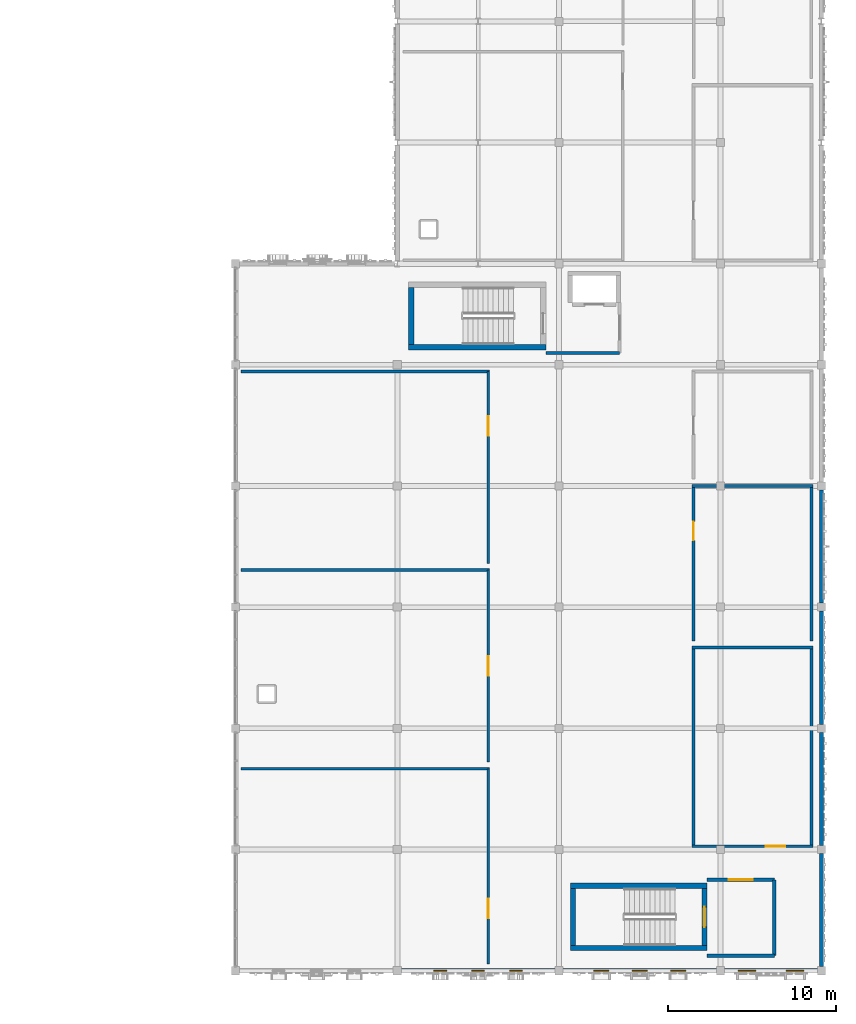
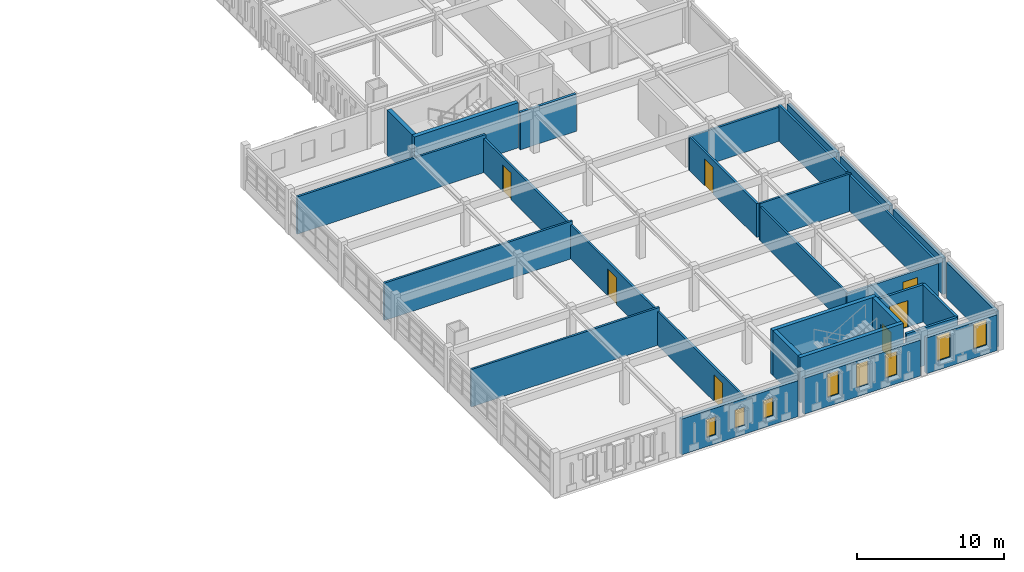
# One storey, part 30 of 53: 30 walls, 8 windows, 7 doors, 15 openings.
"""IFC4 building model written with IfcOpenShell, lengths in metres."""

from ifc_helpers import new_model, si_unit, direction, frame, frame_2d, origin, place, context, subcontext, project, spatial, rectangle, extrude, material, layer, layer_set, type_object, element, fill, save


model = new_model("IFC4")

# Units and contexts
model_context = context("Model", 3, precision=1e-05, world=origin(), true_north=direction((0.0, 1.0)))
body_context = subcontext(model_context, "Body", "Model", "MODEL_VIEW")
ifc_project = project(units=[si_unit("LENGTHUNIT", "METRE"), si_unit("AREAUNIT", "SQUARE_METRE"), si_unit("VOLUMEUNIT", "CUBIC_METRE"), si_unit("PLANEANGLEUNIT", "RADIAN"), si_unit("MASSUNIT", "GRAM", prefix="KILO")], contexts=[model_context])

# Site, building, storey
site_placement = place(None, origin())
site = spatial("IfcSite", under=ifc_project, at=site_placement, CompositionType="ELEMENT")
building_placement = place(site_placement, origin())
building = spatial("IfcBuilding", under=site, at=building_placement, Name="Nzembalo Square Collegiate School", CompositionType="ELEMENT")
storey_placement = place(building_placement, frame((0.0, 0.0, 13.60009765625)))
storey = spatial("IfcBuildingStorey", under=building, at=storey_placement, Name="L03", CompositionType="ELEMENT", Elevation=13.60009765625)

# Walls
ifc_material_1 = material(Name="Concrete C40/50", Category="concrete")
ifc_layer_1 = layer(ifc_material_1, 0.320068359375, Name="Concrete C40/50")
ifc_layer_set_1 = layer_set([ifc_layer_1], Name="Concrete C40/50")
wall_type_1 = type_object("IfcWallType", Name="SW01", PredefinedType="SHEAR", material=ifc_layer_set_1)
wall_1_placement = place(storey_placement, frame((141.239990234375, 45.60009765625, 0.0), z_axis=(0.0, 0.0, 1.0), x_axis=(0.0, 1.0, 0.0)))
element("IfcWall", 1, at=wall_1_placement, inside=storey, type_object=wall_type_1, Name="Core C5 stair shear wall W L03", PredefinedType="SHEAR", context=body_context, shape_type="SweptSolid", body=[
    extrude(rectangle(XDim=3.39990234375, YDim=0.320068359375, at=frame_2d((1.699951171875, 0.0))), origin(), (0.0, 0.0, 1.0), 3.739990234375),
])
wall_2_placement = place(storey_placement, frame((141.080078125, 45.43994140625, 0.0), z_axis=(0.0, 0.0, 1.0), x_axis=(1.0, 0.0, 0.0)))
element("IfcWall", 2, at=wall_2_placement, inside=storey, type_object=wall_type_1, Name="Core C5 stair shear wall S L03", PredefinedType="SHEAR", context=body_context, shape_type="SweptSolid", body=[
    extrude(rectangle(XDim=8.139892578125, YDim=0.320068359375, at=frame_2d((4.06982421875, 0.0))), origin(), (0.0, 0.0, 1.0), 3.739990234375),
])
ifc_material_2 = material(Name="Concrete C40/50", Category="concrete")
ifc_layer_2 = layer(ifc_material_2, 0.300048828125, Name="Concrete C40/50")
ifc_layer_set_2 = layer_set([ifc_layer_2], Name="Concrete C40/50")
wall_type_2 = type_object("IfcWallType", Name="SW02", PredefinedType="SHEAR", material=ifc_layer_set_2)
wall_3_placement = place(storey_placement, frame((150.85009765625, 9.89990234375, 0.0), z_axis=(0.0, 0.0, 1.0), x_axis=(0.0, 1.0, 0.0)))
element("IfcWall", 3, at=wall_3_placement, inside=storey, type_object=wall_type_2, Name="Core C6 stair shear wall W L03", PredefinedType="SHEAR", context=body_context, shape_type="SweptSolid", body=[
    extrude(rectangle(XDim=3.400146484375, YDim=0.300048828125, at=frame_2d((1.7001953125, 0.0))), origin(), (0.0, 0.0, 1.0), 3.739990234375),
])
for number, where, z_axis, x_axis, name in (
    (4, (150.699951171875, 9.75, 0.0), (0.0, 0.0, 1.0), (1.0, 0.0, 0.0), "Core C6 stair shear wall S L03"),
    (5, (150.699951171875, 13.449951171875, 0.0), (0.0, 0.0, 1.0), (1.0, 0.0, 0.0), "Core C6 stair shear wall N L03"),
):
    element("IfcWall", number, at=place(storey_placement, frame(where, z_axis=z_axis, x_axis=x_axis)), inside=storey, type_object=wall_type_2, Name=name, PredefinedType="SHEAR", context=body_context, shape_type="SweptSolid", body=[
        extrude(rectangle(XDim=8.10009765625, YDim=0.300048828125, at=frame_2d((4.050048828125, 0.0))), origin(), (0.0, 0.0, 1.0), 3.739990234375),
    ])

# Wall, opening, door
wall_4_placement = place(storey_placement, frame((158.64990234375, 9.89990234375, 0.0), z_axis=(0.0, 0.0, 1.0), x_axis=(0.0, 1.0, 0.0)))
wall_4 = element("IfcWall", 6, at=wall_4_placement, inside=storey, type_object=wall_type_2, Name="Core C6 stair shear wall E L03", PredefinedType="SHEAR", context=body_context, shape_type="SweptSolid", body=[
    extrude(rectangle(XDim=3.400146484375, YDim=0.300048828125, at=frame_2d((1.7001953125, 0.0))), origin(), (0.0, 0.0, 1.0), 3.739990234375),
])
opening_1_placement = place(wall_4_placement, frame((1.10009765625, 0.0, 0.0)))
opening_1 = element("IfcOpeningElement", 7, at=opening_1_placement, cuts=wall_4, Name="Opening FD-064", PredefinedType="OPENING", context=body_context, shape_type="SweptSolid", body=[
    extrude(rectangle(XDim=1.199951171875, YDim=2.199951171875, at=frame_2d((0.60009765625, 1.10009765625))), frame((0.0, 0.16015625, 0.0), z_axis=(0.0, -1.0, 0.0), x_axis=(1.0, 0.0, 0.0)), (0.0, 0.0, 1.0), 0.320068359375),
])
ifc_material_3 = material(Name="Fire-rated steel acoustic door", Category="steel")
door_type_1 = type_object("IfcDoorType", Name="FD01", OperationType="NOTDEFINED", PredefinedType="DOOR", material=ifc_material_3)
door_1_placement = place(opening_1_placement, origin())
door_1 = element("IfcDoor", 8, at=door_1_placement, inside=storey, type_object=door_type_1, Name="Stair fire door FD-064", OperationType="SINGLE_SWING_RIGHT", OverallHeight=2.199951171875, OverallWidth=1.199951171875, PredefinedType="DOOR", context=body_context, shape_type="SweptSolid", body=[
    extrude(rectangle(XDim=1.199951171875, YDim=2.199951171875, at=frame_2d((0.60009765625, 1.10009765625))), frame((0.0, 0.02490234375, 0.0), z_axis=(0.0, -1.0, 0.0), x_axis=(1.0, 0.0, 0.0)), (0.0, 0.0, 1.0), 0.050048828125),
])
fill(opening_1, door_1)

# Walls
ifc_material_4 = material(Name="Concrete C30/37", Category="concrete")
ifc_layer_3 = layer(ifc_material_4, 0.264892578125, Name="Concrete C30/37")
ifc_layer_set_3 = layer_set([ifc_layer_3], Name="Concrete C30/37")
wall_type_3 = type_object("IfcWallType", Name="W06", PredefinedType="SOLIDWALL", material=ifc_layer_set_3)
for number, where, z_axis, x_axis, name in (
    (9, (165.60009765625, 15.842041015625, 0.0), (0.0, 0.0, 1.0), (0.0, 1.0, 0.0), "Exterior wall W06 L03"),
    (10, (165.60009765625, 30.241943359375, 0.0), (0.0, 0.0, 1.0), (0.0, 1.0, 0.0), "Exterior wall W06 L03"),
):
    element("IfcWall", number, at=place(storey_placement, frame(where, z_axis=z_axis, x_axis=x_axis)), inside=storey, type_object=wall_type_3, Name=name, PredefinedType="SOLIDWALL", context=body_context, shape_type="SweptSolid", body=[
        extrude(rectangle(XDim=6.716064453125, YDim=0.264892578125, at=frame_2d((3.35791015625, 0.0))), origin(), (0.0, 0.0, 1.0), 2.9990234375),
    ])

# Wall, openings, windows
wall_5_placement = place(storey_placement, frame((140.64208984375, 8.39990234375, 0.0), z_axis=(0.0, 0.0, 1.0), x_axis=(1.0, 0.0, 0.0)))
wall_5 = element("IfcWall", 11, at=wall_5_placement, inside=storey, type_object=wall_type_3, Name="Exterior wall W06 L03", PredefinedType="SOLIDWALL", context=body_context, shape_type="SweptSolid", body=[
    extrude(rectangle(XDim=9.115966796875, YDim=0.264892578125, at=frame_2d((4.55810546875, 0.0))), origin(), (0.0, 0.0, 1.0), 2.968994140625),
])
opening_2_placement = place(wall_5_placement, frame((1.9365234375, 0.0, 0.75)))
opening_2 = element("IfcOpeningElement", 12, at=opening_2_placement, cuts=wall_5, Name="Opening WN-L03-670", PredefinedType="OPENING", context=body_context, shape_type="SweptSolid", body=[
    extrude(rectangle(XDim=0.75, YDim=1.5, at=frame_2d((0.375, 0.75))), frame((0.0, 0.142578125, 0.0), z_axis=(0.0, -1.0, 0.0), x_axis=(1.0, 0.0, 0.0)), (0.0, 0.0, 1.0), 0.284912109375),
])
opening_3_placement = place(wall_5_placement, frame((4.18310546875, 0.0, 0.75)))
opening_3 = element("IfcOpeningElement", 13, at=opening_3_placement, cuts=wall_5, Name="Opening WN-L03-671", PredefinedType="OPENING", context=body_context, shape_type="SweptSolid", body=[
    extrude(rectangle(XDim=0.75, YDim=1.5, at=frame_2d((0.375, 0.75))), frame((0.0, 0.142578125, 0.0), z_axis=(0.0, -1.0, 0.0), x_axis=(1.0, 0.0, 0.0)), (0.0, 0.0, 1.0), 0.284912109375),
])
opening_4_placement = place(wall_5_placement, frame((6.429443359375, 0.0, 0.75)))
opening_4 = element("IfcOpeningElement", 14, at=opening_4_placement, cuts=wall_5, Name="Opening WN-L03-672", PredefinedType="OPENING", context=body_context, shape_type="SweptSolid", body=[
    extrude(rectangle(XDim=0.75, YDim=1.5, at=frame_2d((0.375, 0.75))), frame((0.0, 0.142578125, 0.0), z_axis=(0.0, -1.0, 0.0), x_axis=(1.0, 0.0, 0.0)), (0.0, 0.0, 1.0), 0.284912109375),
])
ifc_material_5 = material(Name="Powder-coated aluminium and low-E double glazing", Category="aluminium")
window_type_1 = type_object("IfcWindowType", Name="WN05", PartitioningType="SINGLE_PANEL", PredefinedType="WINDOW", material=ifc_material_5)
window_1_placement = place(opening_2_placement, origin())
window_1 = element("IfcWindow", 15, at=window_1_placement, inside=storey, type_object=window_type_1, Name="Lancet window WN-L03-670", OverallHeight=1.5, OverallWidth=0.75, PartitioningType="SINGLE_PANEL", PredefinedType="WINDOW", context=body_context, shape_type="SweptSolid", body=[
    extrude(rectangle(XDim=0.75, YDim=1.5, at=frame_2d((0.375, 0.75))), frame((0.0, 0.030029296875, 0.0), z_axis=(0.0, -1.0, 0.0), x_axis=(1.0, 0.0, 0.0)), (0.0, 0.0, 1.0), 0.06005859375),
])
fill(opening_2, window_1)
window_2_placement = place(opening_3_placement, origin())
window_2 = element("IfcWindow", 16, at=window_2_placement, inside=storey, type_object=window_type_1, Name="Lancet window WN-L03-671", OverallHeight=1.5, OverallWidth=0.75, PartitioningType="SINGLE_PANEL", PredefinedType="WINDOW", context=body_context, shape_type="SweptSolid", body=[
    extrude(rectangle(XDim=0.75, YDim=1.5, at=frame_2d((0.375, 0.75))), frame((0.0, 0.030029296875, 0.0), z_axis=(0.0, -1.0, 0.0), x_axis=(1.0, 0.0, 0.0)), (0.0, 0.0, 1.0), 0.06005859375),
])
fill(opening_3, window_2)
window_3_placement = place(opening_4_placement, origin())
window_3 = element("IfcWindow", 17, at=window_3_placement, inside=storey, type_object=window_type_1, Name="Lancet window WN-L03-672", OverallHeight=1.5, OverallWidth=0.75, PartitioningType="SINGLE_PANEL", PredefinedType="WINDOW", context=body_context, shape_type="SweptSolid", body=[
    extrude(rectangle(XDim=0.75, YDim=1.5, at=frame_2d((0.375, 0.75))), frame((0.0, 0.030029296875, 0.0), z_axis=(0.0, -1.0, 0.0), x_axis=(1.0, 0.0, 0.0)), (0.0, 0.0, 1.0), 0.06005859375),
])
fill(opening_4, window_3)

wall_6_placement = place(storey_placement, frame((159.842041015625, 8.39990234375, 0.0), z_axis=(0.0, 0.0, 1.0), x_axis=(1.0, 0.0, 0.0)))
wall_6 = element("IfcWall", 18, at=wall_6_placement, inside=storey, type_object=wall_type_3, Name="Exterior wall W06 L03", PredefinedType="SOLIDWALL", context=body_context, shape_type="SweptSolid", body=[
    extrude(rectangle(XDim=5.515869140625, YDim=0.264892578125, at=frame_2d((2.7578125, 0.0))), origin(), (0.0, 0.0, 1.0), 2.968994140625),
])
opening_5_placement = place(wall_6_placement, frame((0.8115234375, 0.0, 0.75)))
opening_5 = element("IfcOpeningElement", 19, at=opening_5_placement, cuts=wall_6, Name="Opening WN-L03-677", PredefinedType="OPENING", context=body_context, shape_type="SweptSolid", body=[
    extrude(rectangle(XDim=1.050048828125, YDim=2.10009765625, at=frame_2d((0.52490234375, 1.050048828125))), frame((0.0, 0.142578125, 0.0), z_axis=(0.0, -1.0, 0.0), x_axis=(1.0, 0.0, 0.0)), (0.0, 0.0, 1.0), 0.284912109375),
])
opening_6_placement = place(wall_6_placement, frame((3.654541015625, 0.0, 0.75)))
opening_6 = element("IfcOpeningElement", 20, at=opening_6_placement, cuts=wall_6, Name="Opening WN-L03-678", PredefinedType="OPENING", context=body_context, shape_type="SweptSolid", body=[
    extrude(rectangle(XDim=1.050048828125, YDim=2.10009765625, at=frame_2d((0.52490234375, 1.050048828125))), frame((0.0, 0.142578125, 0.0), z_axis=(0.0, -1.0, 0.0), x_axis=(1.0, 0.0, 0.0)), (0.0, 0.0, 1.0), 0.284912109375),
])
ifc_material_6 = material(Name="Powder-coated aluminium and low-E double glazing", Category="aluminium")
window_type_2 = type_object("IfcWindowType", Name="WN12", PartitioningType="SINGLE_PANEL", PredefinedType="WINDOW", material=ifc_material_6)
window_4_placement = place(opening_5_placement, origin())
window_4 = element("IfcWindow", 21, at=window_4_placement, inside=storey, type_object=window_type_2, Name="Lancet window WN-L03-677", OverallHeight=2.10009765625, OverallWidth=1.050048828125, PartitioningType="SINGLE_PANEL", PredefinedType="WINDOW", context=body_context, shape_type="SweptSolid", body=[
    extrude(rectangle(XDim=1.050048828125, YDim=2.10009765625, at=frame_2d((0.52490234375, 1.050048828125))), frame((0.0, 0.030029296875, 0.0), z_axis=(0.0, -1.0, 0.0), x_axis=(1.0, 0.0, 0.0)), (0.0, 0.0, 1.0), 0.06005859375),
])
fill(opening_5, window_4)
window_5_placement = place(opening_6_placement, origin())
window_5 = element("IfcWindow", 22, at=window_5_placement, inside=storey, type_object=window_type_2, Name="Lancet window WN-L03-678", OverallHeight=2.10009765625, OverallWidth=1.050048828125, PartitioningType="SINGLE_PANEL", PredefinedType="WINDOW", context=body_context, shape_type="SweptSolid", body=[
    extrude(rectangle(XDim=1.050048828125, YDim=2.10009765625, at=frame_2d((0.52490234375, 1.050048828125))), frame((0.0, 0.030029296875, 0.0), z_axis=(0.0, -1.0, 0.0), x_axis=(1.0, 0.0, 0.0)), (0.0, 0.0, 1.0), 0.06005859375),
])
fill(opening_6, window_5)

# Walls
ifc_material_7 = material(Name="CLT CL24", Category="wood")
ifc_layer_4 = layer(ifc_material_7, 0.2451171875, Name="CLT CL24")
ifc_layer_set_4 = layer_set([ifc_layer_4], Name="CLT CL24")
wall_type_4 = type_object("IfcWallType", Name="W07", PredefinedType="SOLIDWALL", material=ifc_layer_set_4)
wall_7_placement = place(storey_placement, frame((165.60009765625, 8.64208984375, 0.0), z_axis=(0.0, 0.0, 1.0), x_axis=(0.0, 1.0, 0.0)))
element("IfcWall", 23, at=wall_7_placement, inside=storey, type_object=wall_type_4, Name="Exterior wall W07 L03", PredefinedType="SOLIDWALL", context=body_context, shape_type="SweptSolid", body=[
    extrude(rectangle(XDim=6.7158203125, YDim=0.2451171875, at=frame_2d((3.35791015625, 0.0))), origin(), (0.0, 0.0, 1.0), 2.968994140625),
])
wall_8_placement = place(storey_placement, frame((165.60009765625, 23.0419921875, 0.0), z_axis=(0.0, 0.0, 1.0), x_axis=(0.0, 1.0, 0.0)))
element("IfcWall", 24, at=wall_8_placement, inside=storey, type_object=wall_type_4, Name="Exterior wall W07 L03", PredefinedType="SOLIDWALL", context=body_context, shape_type="SweptSolid", body=[
    extrude(rectangle(XDim=6.716064453125, YDim=0.2451171875, at=frame_2d((3.35791015625, 0.0))), origin(), (0.0, 0.0, 1.0), 2.9990234375),
])

# Wall, openings, windows
wall_9_placement = place(storey_placement, frame((150.241943359375, 8.39990234375, 0.0), z_axis=(0.0, 0.0, 1.0), x_axis=(1.0, 0.0, 0.0)))
wall_9 = element("IfcWall", 25, at=wall_9_placement, inside=storey, type_object=wall_type_4, Name="Exterior wall W07 L03", PredefinedType="SOLIDWALL", context=body_context, shape_type="SweptSolid", body=[
    extrude(rectangle(XDim=9.115966796875, YDim=0.2451171875, at=frame_2d((4.55810546875, 0.0))), origin(), (0.0, 0.0, 1.0), 2.968994140625),
])
opening_7_placement = place(wall_9_placement, frame((1.823974609375, 0.0, 0.75)))
opening_7 = element("IfcOpeningElement", 26, at=opening_7_placement, cuts=wall_9, Name="Opening WN-L03-673", PredefinedType="OPENING", context=body_context, shape_type="SweptSolid", body=[
    extrude(rectangle(XDim=0.89990234375, YDim=1.949951171875, at=frame_2d((0.449951171875, 0.97509765625))), frame((0.0, 0.132568359375, 0.0), z_axis=(0.0, -1.0, 0.0), x_axis=(1.0, 0.0, 0.0)), (0.0, 0.0, 1.0), 0.26513671875),
])
opening_8_placement = place(wall_9_placement, frame((4.10791015625, 0.0, 0.75)))
opening_8 = element("IfcOpeningElement", 27, at=opening_8_placement, cuts=wall_9, Name="Opening WN-L03-674", PredefinedType="OPENING", context=body_context, shape_type="SweptSolid", body=[
    extrude(rectangle(XDim=0.89990234375, YDim=1.949951171875, at=frame_2d((0.449951171875, 0.97509765625))), frame((0.0, 0.132568359375, 0.0), z_axis=(0.0, -1.0, 0.0), x_axis=(1.0, 0.0, 0.0)), (0.0, 0.0, 1.0), 0.26513671875),
])
opening_9_placement = place(wall_9_placement, frame((6.39208984375, 0.0, 0.75)))
opening_9 = element("IfcOpeningElement", 28, at=opening_9_placement, cuts=wall_9, Name="Opening WN-L03-675", PredefinedType="OPENING", context=body_context, shape_type="SweptSolid", body=[
    extrude(rectangle(XDim=0.89990234375, YDim=1.949951171875, at=frame_2d((0.449951171875, 0.97509765625))), frame((0.0, 0.132568359375, 0.0), z_axis=(0.0, -1.0, 0.0), x_axis=(1.0, 0.0, 0.0)), (0.0, 0.0, 1.0), 0.26513671875),
])
ifc_material_8 = material(Name="Powder-coated aluminium and low-E double glazing", Category="aluminium")
window_type_3 = type_object("IfcWindowType", Name="WN08", PartitioningType="SINGLE_PANEL", PredefinedType="WINDOW", material=ifc_material_8)
window_6_placement = place(opening_7_placement, origin())
window_6 = element("IfcWindow", 29, at=window_6_placement, inside=storey, type_object=window_type_3, Name="Lancet window WN-L03-673", OverallHeight=1.949951171875, OverallWidth=0.89990234375, PartitioningType="SINGLE_PANEL", PredefinedType="WINDOW", context=body_context, shape_type="SweptSolid", body=[
    extrude(rectangle(XDim=0.89990234375, YDim=1.949951171875, at=frame_2d((0.449951171875, 0.97509765625))), frame((0.0, 0.030029296875, 0.0), z_axis=(0.0, -1.0, 0.0), x_axis=(1.0, 0.0, 0.0)), (0.0, 0.0, 1.0), 0.06005859375),
])
fill(opening_7, window_6)
window_7_placement = place(opening_8_placement, origin())
window_7 = element("IfcWindow", 30, at=window_7_placement, inside=storey, type_object=window_type_3, Name="Lancet window WN-L03-674", OverallHeight=1.949951171875, OverallWidth=0.89990234375, PartitioningType="SINGLE_PANEL", PredefinedType="WINDOW", context=body_context, shape_type="SweptSolid", body=[
    extrude(rectangle(XDim=0.89990234375, YDim=1.949951171875, at=frame_2d((0.449951171875, 0.97509765625))), frame((0.0, 0.030029296875, 0.0), z_axis=(0.0, -1.0, 0.0), x_axis=(1.0, 0.0, 0.0)), (0.0, 0.0, 1.0), 0.06005859375),
])
fill(opening_8, window_7)
window_8_placement = place(opening_9_placement, origin())
window_8 = element("IfcWindow", 31, at=window_8_placement, inside=storey, type_object=window_type_3, Name="Lancet window WN-L03-675", OverallHeight=1.949951171875, OverallWidth=0.89990234375, PartitioningType="SINGLE_PANEL", PredefinedType="WINDOW", context=body_context, shape_type="SweptSolid", body=[
    extrude(rectangle(XDim=0.89990234375, YDim=1.949951171875, at=frame_2d((0.449951171875, 0.97509765625))), frame((0.0, 0.030029296875, 0.0), z_axis=(0.0, -1.0, 0.0), x_axis=(1.0, 0.0, 0.0)), (0.0, 0.0, 1.0), 0.06005859375),
])
fill(opening_9, window_8)

# Walls
ifc_material_9 = material(Name="Concrete blockwork C25/30", Category="masonry")
ifc_layer_5 = layer(ifc_material_9, 0.199951171875, Name="Concrete blockwork C25/30")
ifc_layer_set_5 = layer_set([ifc_layer_5], Name="Concrete blockwork C25/30")
wall_type_5 = type_object("IfcWallType", Name="W11", PredefinedType="PARTITIONING", material=ifc_layer_set_5)
wall_10_placement = place(storey_placement, frame((149.219970703125, 45.10009765625, 0.0), z_axis=(0.0, 0.0, 1.0), x_axis=(1.0, 0.0, 0.0)))
element("IfcWall", 32, at=wall_10_placement, inside=storey, type_object=wall_type_5, Name="Core C5 EI 60 lobby wall S L03", PredefinedType="PARTITIONING", context=body_context, shape_type="SweptSolid", body=[
    extrude(rectangle(XDim=4.380126953125, YDim=0.199951171875, at=frame_2d((2.18994140625, 0.0))), origin(), (0.0, 0.0, 1.0), 3.098876953125),
])
wall_11_placement = place(storey_placement, frame((162.800048828125, 9.300048828125, 0.0), z_axis=(0.0, 0.0, 1.0), x_axis=(0.0, 1.0, 0.0)))
element("IfcWall", 33, at=wall_11_placement, inside=storey, type_object=wall_type_5, Name="Core C6 EI 60 lobby wall E L03", PredefinedType="PARTITIONING", context=body_context, shape_type="SweptSolid", body=[
    extrude(rectangle(XDim=4.5, YDim=0.199951171875, at=frame_2d((2.25, 0.0))), origin(), (0.0, 0.0, 1.0), 3.098876953125),
])
wall_12_placement = place(storey_placement, frame((158.800048828125, 9.300048828125, 0.0), z_axis=(0.0, 0.0, 1.0), x_axis=(1.0, 0.0, 0.0)))
element("IfcWall", 34, at=wall_12_placement, inside=storey, type_object=wall_type_5, Name="Core C6 EI 60 lobby wall S L03", PredefinedType="PARTITIONING", context=body_context, shape_type="SweptSolid", body=[
    extrude(rectangle(XDim=4.0, YDim=0.199951171875, at=frame_2d((2.0, 0.0))), origin(), (0.0, 0.0, 1.0), 3.098876953125),
])

# Wall, opening, door
wall_13_placement = place(storey_placement, frame((158.800048828125, 13.800048828125, 0.0), z_axis=(0.0, 0.0, 1.0), x_axis=(1.0, 0.0, 0.0)))
wall_13 = element("IfcWall", 35, at=wall_13_placement, inside=storey, type_object=wall_type_5, Name="Core C6 EI 60 lobby wall N L03", PredefinedType="PARTITIONING", context=body_context, shape_type="SweptSolid", body=[
    extrude(rectangle(XDim=4.0, YDim=0.199951171875, at=frame_2d((2.0, 0.0))), origin(), (0.0, 0.0, 1.0), 3.098876953125),
])
opening_10_placement = place(wall_13_placement, frame((1.27490234375, 0.0, 0.0)))
opening_10 = element("IfcOpeningElement", 36, at=opening_10_placement, cuts=wall_13, Name="Opening FD-065", PredefinedType="OPENING", context=body_context, shape_type="SweptSolid", body=[
    extrude(rectangle(XDim=1.449951171875, YDim=2.199951171875, at=frame_2d((0.72509765625, 1.10009765625))), frame((0.0, 0.10986328125, 0.0), z_axis=(0.0, -1.0, 0.0), x_axis=(1.0, 0.0, 0.0)), (0.0, 0.0, 1.0), 0.219970703125),
])
ifc_material_10 = material(Name="Fire-rated double lobby door")
door_type_2 = type_object("IfcDoorType", Name="FD02", OperationType="DOUBLE_DOOR_SINGLE_SWING", PredefinedType="DOOR", material=ifc_material_10)
door_2_placement = place(opening_10_placement, origin())
door_2 = element("IfcDoor", 37, at=door_2_placement, inside=storey, type_object=door_type_2, Name="Protected lobby fire door FD-065", OperationType="DOUBLE_DOOR_SINGLE_SWING", OverallHeight=2.199951171875, OverallWidth=1.449951171875, PredefinedType="DOOR", context=body_context, shape_type="SweptSolid", body=[
    extrude(rectangle(XDim=1.449951171875, YDim=2.199951171875, at=frame_2d((0.72509765625, 1.10009765625))), frame((0.0, 0.02490234375, 0.0), z_axis=(0.0, -1.0, 0.0), x_axis=(1.0, 0.0, 0.0)), (0.0, 0.0, 1.0), 0.050048828125),
])
fill(opening_10, door_2)

# Wall
ifc_material_11 = material(Name="Moisture-resistant acoustic stud")
ifc_layer_6 = layer(ifc_material_11, 0.1650390625, Name="Moisture-resistant acoustic stud")
ifc_layer_set_6 = layer_set([ifc_layer_6], Name="Moisture-resistant acoustic stud")
wall_type_6 = type_object("IfcWallType", Name="W15", PredefinedType="PARTITIONING", material=ifc_layer_set_6)
wall_14_placement = place(storey_placement, frame((131.117431640625, 20.39990234375, 0.0), z_axis=(0.0, 0.0, 1.0), x_axis=(1.0, 0.0, 0.0)))
element("IfcWall", 38, at=wall_14_placement, inside=storey, type_object=wall_type_6, Name="Interior partition W15 L03-036-N", PredefinedType="PARTITIONING", context=body_context, shape_type="SweptSolid", body=[
    extrude(rectangle(XDim=14.76513671875, YDim=0.1650390625, at=frame_2d((7.382568359375, 0.0))), origin(), (0.0, 0.0, 1.0), 3.098876953125),
])

# Wall, opening, door
wall_15_placement = place(storey_placement, frame((145.800048828125, 8.800048828125, 0.0), z_axis=(0.0, 0.0, 1.0), x_axis=(0.0, 1.0, 0.0)))
wall_15 = element("IfcWall", 39, at=wall_15_placement, inside=storey, type_object=wall_type_6, Name="Interior partition W15 L03-036-E", PredefinedType="PARTITIONING", context=body_context, shape_type="SweptSolid", body=[
    extrude(rectangle(XDim=11.599853515625, YDim=0.1650390625, at=frame_2d((5.7998046875, 0.0))), origin(), (0.0, 0.0, 1.0), 2.808837890625),
])
opening_11_placement = place(wall_15_placement, frame((2.7099609375, 0.0, 0.0)))
opening_11 = element("IfcOpeningElement", 40, at=opening_11_placement, cuts=wall_15, Name="Opening D-L03-088", PredefinedType="OPENING", context=body_context, shape_type="SweptSolid", body=[
    extrude(rectangle(XDim=1.159912109375, YDim=2.219970703125, at=frame_2d((0.580078125, 1.10986328125))), frame((0.0, 0.092529296875, 0.0), z_axis=(0.0, -1.0, 0.0), x_axis=(1.0, 0.0, 0.0)), (0.0, 0.0, 1.0), 0.18505859375),
])
ifc_material_12 = material(Name="Vision-panel laboratory fire door")
door_type_3 = type_object("IfcDoorType", Name="D03", OperationType="NOTDEFINED", PredefinedType="DOOR", material=ifc_material_12)
door_3_placement = place(opening_11_placement, origin())
door_3 = element("IfcDoor", 41, at=door_3_placement, inside=storey, type_object=door_type_3, Name="Interior door D-L03-088 (Chemistry Wet Science Laboratory 5)", OperationType="SINGLE_SWING_RIGHT", OverallHeight=2.219970703125, OverallWidth=1.159912109375, PredefinedType="DOOR", context=body_context, shape_type="SweptSolid", body=[
    extrude(rectangle(XDim=1.159912109375, YDim=2.219970703125, at=frame_2d((0.580078125, 1.10986328125))), frame((0.0, 0.02490234375, 0.0), z_axis=(0.0, -1.0, 0.0), x_axis=(1.0, 0.0, 0.0)), (0.0, 0.0, 1.0), 0.050048828125),
])
fill(opening_11, door_3)

# Wall
wall_16_placement = place(storey_placement, frame((131.117431640625, 32.199951171875, 0.0), z_axis=(0.0, 0.0, 1.0), x_axis=(1.0, 0.0, 0.0)))
element("IfcWall", 42, at=wall_16_placement, inside=storey, type_object=wall_type_6, Name="Interior partition W15 L03-037-N", PredefinedType="PARTITIONING", context=body_context, shape_type="SweptSolid", body=[
    extrude(rectangle(XDim=14.76513671875, YDim=0.1650390625, at=frame_2d((7.382568359375, 0.0))), origin(), (0.0, 0.0, 1.0), 3.098876953125),
])

# Wall, opening, door
wall_17_placement = place(storey_placement, frame((145.800048828125, 20.800048828125, 0.0), z_axis=(0.0, 0.0, 1.0), x_axis=(0.0, 1.0, 0.0)))
wall_17 = element("IfcWall", 43, at=wall_17_placement, inside=storey, type_object=wall_type_6, Name="Interior partition W15 L03-037-E", PredefinedType="PARTITIONING", context=body_context, shape_type="SweptSolid", body=[
    extrude(rectangle(XDim=11.39990234375, YDim=0.1650390625, at=frame_2d((5.699951171875, 0.0))), origin(), (0.0, 0.0, 1.0), 2.808837890625),
])
opening_12_placement = place(wall_17_placement, frame((5.1201171875, 0.0, 0.0)))
opening_12 = element("IfcOpeningElement", 44, at=opening_12_placement, cuts=wall_17, Name="Opening D-L03-089", PredefinedType="OPENING", context=body_context, shape_type="SweptSolid", body=[
    extrude(rectangle(XDim=1.159912109375, YDim=2.219970703125, at=frame_2d((0.580078125, 1.10986328125))), frame((0.0, 0.092529296875, 0.0), z_axis=(0.0, -1.0, 0.0), x_axis=(1.0, 0.0, 0.0)), (0.0, 0.0, 1.0), 0.18505859375),
])
door_4_placement = place(opening_12_placement, origin())
door_4 = element("IfcDoor", 45, at=door_4_placement, inside=storey, type_object=door_type_3, Name="Interior door D-L03-089 (Chemistry Wet Science Laboratory 6)", OperationType="SINGLE_SWING_LEFT", OverallHeight=2.219970703125, OverallWidth=1.159912109375, PredefinedType="DOOR", context=body_context, shape_type="SweptSolid", body=[
    extrude(rectangle(XDim=1.159912109375, YDim=2.219970703125, at=frame_2d((0.580078125, 1.10986328125))), frame((0.0, 0.02490234375, 0.0), z_axis=(0.0, -1.0, 0.0), x_axis=(1.0, 0.0, 0.0)), (0.0, 0.0, 1.0), 0.050048828125),
])
fill(opening_12, door_4)

# Wall
wall_18_placement = place(storey_placement, frame((131.117431640625, 44.0, 0.0), z_axis=(0.0, 0.0, 1.0), x_axis=(1.0, 0.0, 0.0)))
element("IfcWall", 46, at=wall_18_placement, inside=storey, type_object=wall_type_6, Name="Interior partition W15 L03-038-N", PredefinedType="PARTITIONING", context=body_context, shape_type="SweptSolid", body=[
    extrude(rectangle(XDim=14.76513671875, YDim=0.1650390625, at=frame_2d((7.382568359375, 0.0))), origin(), (0.0, 0.0, 1.0), 3.098876953125),
])

# Wall, opening, door
wall_19_placement = place(storey_placement, frame((145.800048828125, 32.60009765625, 0.0), z_axis=(0.0, 0.0, 1.0), x_axis=(0.0, 1.0, 0.0)))
wall_19 = element("IfcWall", 47, at=wall_19_placement, inside=storey, type_object=wall_type_6, Name="Interior partition W15 L03-038-E", PredefinedType="PARTITIONING", context=body_context, shape_type="SweptSolid", body=[
    extrude(rectangle(XDim=11.39990234375, YDim=0.1650390625, at=frame_2d((5.699951171875, 0.0))), origin(), (0.0, 0.0, 1.0), 2.808837890625),
])
opening_13_placement = place(wall_19_placement, frame((7.580078125, 0.0, 0.0)))
opening_13 = element("IfcOpeningElement", 48, at=opening_13_placement, cuts=wall_19, Name="Opening D-L03-090", PredefinedType="OPENING", context=body_context, shape_type="SweptSolid", body=[
    extrude(rectangle(XDim=1.159912109375, YDim=2.219970703125, at=frame_2d((0.580078125, 1.10986328125))), frame((0.0, 0.092529296875, 0.0), z_axis=(0.0, -1.0, 0.0), x_axis=(1.0, 0.0, 0.0)), (0.0, 0.0, 1.0), 0.18505859375),
])
door_5_placement = place(opening_13_placement, origin())
door_5 = element("IfcDoor", 49, at=door_5_placement, inside=storey, type_object=door_type_3, Name="Interior door D-L03-090 (Physics Optics Laboratory 7)", OperationType="SINGLE_SWING_RIGHT", OverallHeight=2.219970703125, OverallWidth=1.159912109375, PredefinedType="DOOR", context=body_context, shape_type="SweptSolid", body=[
    extrude(rectangle(XDim=1.159912109375, YDim=2.219970703125, at=frame_2d((0.580078125, 1.10986328125))), frame((0.0, 0.02490234375, 0.0), z_axis=(0.0, -1.0, 0.0), x_axis=(1.0, 0.0, 0.0)), (0.0, 0.0, 1.0), 0.050048828125),
])
fill(opening_13, door_5)

wall_20_placement = place(storey_placement, frame((157.91748046875, 15.800048828125, 0.0), z_axis=(0.0, 0.0, 1.0), x_axis=(1.0, 0.0, 0.0)))
wall_20 = element("IfcWall", 50, at=wall_20_placement, inside=storey, type_object=wall_type_6, Name="Interior partition W15 L03-040-S", PredefinedType="PARTITIONING", context=body_context, shape_type="SweptSolid", body=[
    extrude(rectangle(XDim=7.1650390625, YDim=0.1650390625, at=frame_2d((3.58251953125, 0.0))), origin(), (0.0, 0.0, 1.0), 2.808837890625),
])
opening_14_placement = place(wall_20_placement, frame((4.362548828125, 0.0, 0.0)))
opening_14 = element("IfcOpeningElement", 51, at=opening_14_placement, cuts=wall_20, Name="Opening D-L03-091", PredefinedType="OPENING", context=body_context, shape_type="SweptSolid", body=[
    extrude(rectangle(XDim=1.159912109375, YDim=2.219970703125, at=frame_2d((0.580078125, 1.10986328125))), frame((0.0, 0.092529296875, 0.0), z_axis=(0.0, -1.0, 0.0), x_axis=(1.0, 0.0, 0.0)), (0.0, 0.0, 1.0), 0.18505859375),
])
door_6_placement = place(opening_14_placement, origin())
door_6 = element("IfcDoor", 52, at=door_6_placement, inside=storey, type_object=door_type_3, Name="Interior door D-L03-091 (Physics Mechanics Laboratory 8)", OperationType="SINGLE_SWING_LEFT", OverallHeight=2.219970703125, OverallWidth=1.159912109375, PredefinedType="DOOR", context=body_context, shape_type="SweptSolid", body=[
    extrude(rectangle(XDim=1.159912109375, YDim=2.219970703125, at=frame_2d((0.580078125, 1.10986328125))), frame((0.0, 0.02490234375, 0.0), z_axis=(0.0, -1.0, 0.0), x_axis=(1.0, 0.0, 0.0)), (0.0, 0.0, 1.0), 0.050048828125),
])
fill(opening_14, door_6)

# Walls
wall_21_placement = place(storey_placement, frame((157.91748046875, 27.60009765625, 0.0), z_axis=(0.0, 0.0, 1.0), x_axis=(1.0, 0.0, 0.0)))
element("IfcWall", 53, at=wall_21_placement, inside=storey, type_object=wall_type_6, Name="Interior partition W15 L03-040-N", PredefinedType="PARTITIONING", context=body_context, shape_type="SweptSolid", body=[
    extrude(rectangle(XDim=7.1650390625, YDim=0.1650390625, at=frame_2d((3.58251953125, 0.0))), origin(), (0.0, 0.0, 1.0), 3.098876953125),
])
wall_22_placement = place(storey_placement, frame((158.0, 15.800048828125, 0.0), z_axis=(0.0, 0.0, 1.0), x_axis=(0.0, 1.0, 0.0)))
element("IfcWall", 54, at=wall_22_placement, inside=storey, type_object=wall_type_6, Name="Interior partition W15 L03-040-W", PredefinedType="PARTITIONING", context=body_context, shape_type="SweptSolid", body=[
    extrude(rectangle(XDim=11.800048828125, YDim=0.1650390625, at=frame_2d((5.89990234375, 0.0))), origin(), (0.0, 0.0, 1.0), 2.808837890625),
])
wall_23_placement = place(storey_placement, frame((165.0, 15.800048828125, 0.0), z_axis=(0.0, 0.0, 1.0), x_axis=(0.0, 1.0, 0.0)))
element("IfcWall", 55, at=wall_23_placement, inside=storey, type_object=wall_type_6, Name="Interior partition W15 L03-040-E", PredefinedType="PARTITIONING", context=body_context, shape_type="SweptSolid", body=[
    extrude(rectangle(XDim=11.800048828125, YDim=0.1650390625, at=frame_2d((5.89990234375, 0.0))), origin(), (0.0, 0.0, 1.0), 3.0087890625),
])
wall_24_placement = place(storey_placement, frame((157.91748046875, 37.199951171875, 0.0), z_axis=(0.0, 0.0, 1.0), x_axis=(1.0, 0.0, 0.0)))
element("IfcWall", 56, at=wall_24_placement, inside=storey, type_object=wall_type_6, Name="Interior partition W15 L03-041-N", PredefinedType="PARTITIONING", context=body_context, shape_type="SweptSolid", body=[
    extrude(rectangle(XDim=7.1650390625, YDim=0.1650390625, at=frame_2d((3.58251953125, 0.0))), origin(), (0.0, 0.0, 1.0), 2.808837890625),
])

# Wall, opening, door
wall_25_placement = place(storey_placement, frame((158.0, 28.0, 0.0), z_axis=(0.0, 0.0, 1.0), x_axis=(0.0, 1.0, 0.0)))
wall_25 = element("IfcWall", 57, at=wall_25_placement, inside=storey, type_object=wall_type_6, Name="Interior partition W15 L03-041-W", PredefinedType="PARTITIONING", context=body_context, shape_type="SweptSolid", body=[
    extrude(rectangle(XDim=9.199951171875, YDim=0.1650390625, at=frame_2d((4.60009765625, 0.0))), origin(), (0.0, 0.0, 1.0), 2.808837890625),
])
opening_15_placement = place(wall_25_placement, frame((5.9599609375, 0.0, 0.0)))
opening_15 = element("IfcOpeningElement", 58, at=opening_15_placement, cuts=wall_25, Name="Opening D-L03-092", PredefinedType="OPENING", context=body_context, shape_type="SweptSolid", body=[
    extrude(rectangle(XDim=1.1201171875, YDim=2.219970703125, at=frame_2d((0.56005859375, 1.10986328125))), frame((0.0, 0.092529296875, 0.0), z_axis=(0.0, -1.0, 0.0), x_axis=(1.0, 0.0, 0.0)), (0.0, 0.0, 1.0), 0.18505859375),
])
ifc_material_13 = material(Name="Laboratory preparation door")
door_type_4 = type_object("IfcDoorType", Name="D15", OperationType="NOTDEFINED", PredefinedType="DOOR", material=ifc_material_13)
door_7_placement = place(opening_15_placement, origin())
door_7 = element("IfcDoor", 59, at=door_7_placement, inside=storey, type_object=door_type_4, Name="Interior door D-L03-092 (Chemistry Preparation Room L03)", OperationType="SINGLE_SWING_RIGHT", OverallHeight=2.219970703125, OverallWidth=1.1201171875, PredefinedType="DOOR", context=body_context, shape_type="SweptSolid", body=[
    extrude(rectangle(XDim=1.1201171875, YDim=2.219970703125, at=frame_2d((0.56005859375, 1.10986328125))), frame((0.0, 0.02490234375, 0.0), z_axis=(0.0, -1.0, 0.0), x_axis=(1.0, 0.0, 0.0)), (0.0, 0.0, 1.0), 0.050048828125),
])
fill(opening_15, door_7)

# Wall
wall_26_placement = place(storey_placement, frame((165.0, 28.0, 0.0), z_axis=(0.0, 0.0, 1.0), x_axis=(0.0, 1.0, 0.0)))
element("IfcWall", 60, at=wall_26_placement, inside=storey, type_object=wall_type_6, Name="Interior partition W15 L03-041-E", PredefinedType="PARTITIONING", context=body_context, shape_type="SweptSolid", body=[
    extrude(rectangle(XDim=9.199951171875, YDim=0.1650390625, at=frame_2d((4.60009765625, 0.0))), origin(), (0.0, 0.0, 1.0), 3.0087890625),
])

save(model, "model.ifc")
